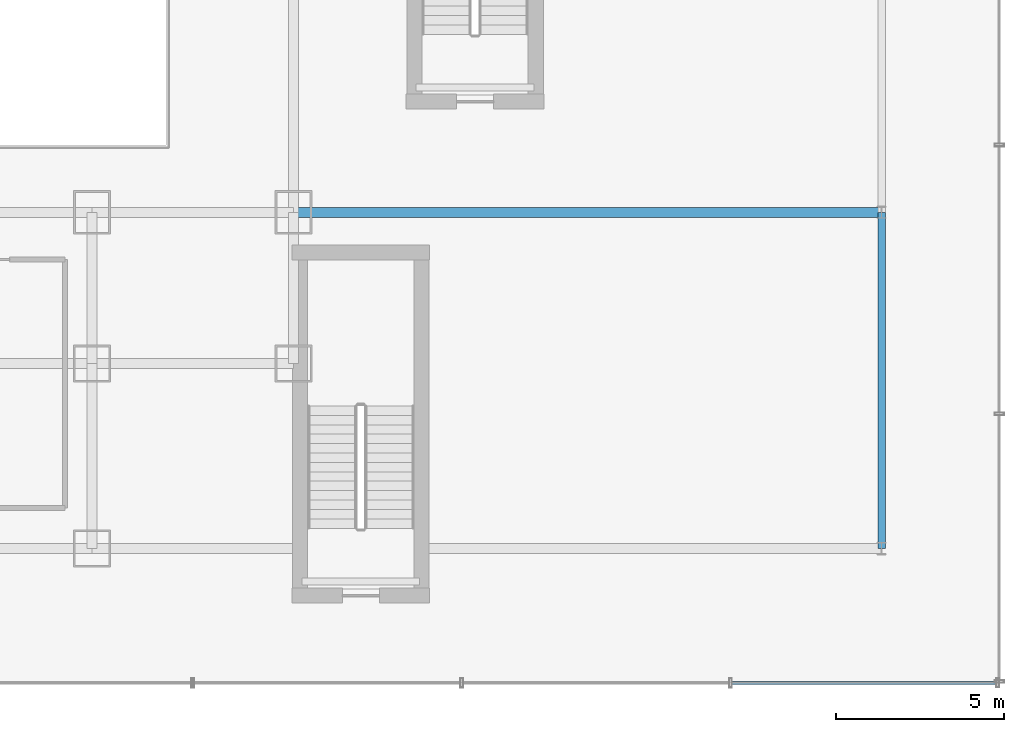
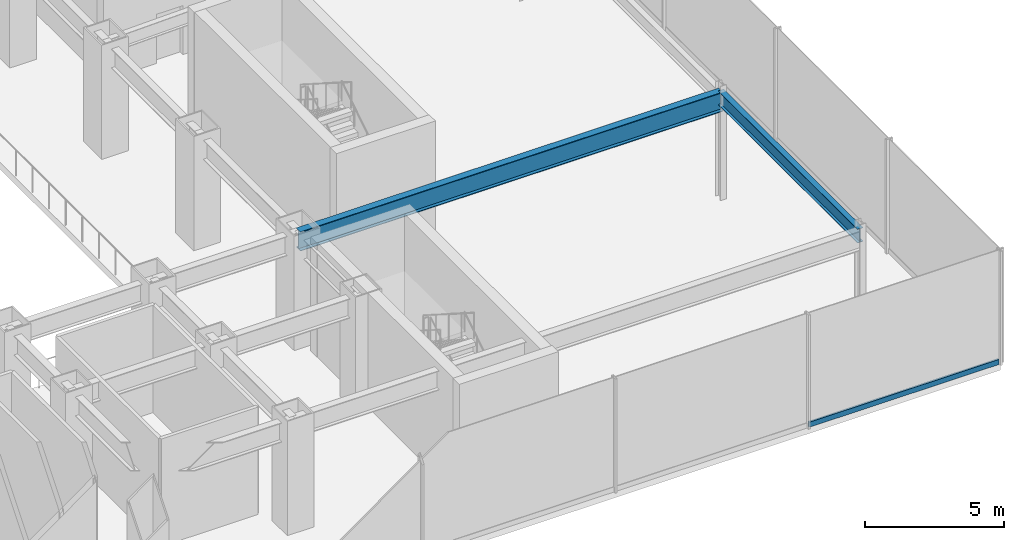
# One storey, part 20 of 39: 2 beams, 1 member, 1 element without a shape of its own.
"""IFC4 building model written with IfcOpenShell, lengths in metres."""

from ifc_helpers import new_model, si_unit, derived_unit, direction, frame, origin, origin_2d, place, context, subcontext, project, spatial, hollow_rectangle, i_section, extrude, source, transform, mapped, material, material_profile, profile_set, type_object, element, aggregate, save


model = new_model("IFC4")

# Units and contexts
model_context = context("Model", 3, precision=1e-05, world=origin(), true_north=direction((0.0, 1.0)))
body_context = subcontext(model_context, "Body", "Model", "MODEL_VIEW")
ifc_project = project(units=[si_unit("LENGTHUNIT", "METRE"), si_unit("AREAUNIT", "SQUARE_METRE"), si_unit("VOLUMEUNIT", "CUBIC_METRE"), si_unit("PLANEANGLEUNIT", "RADIAN"), si_unit("MASSUNIT", "GRAM", prefix="KILO"), derived_unit("THERMALTRANSMITTANCEUNIT", [(si_unit("POWERUNIT", "WATT"), 1), (si_unit("LENGTHUNIT", "METRE"), -2), (si_unit("THERMODYNAMICTEMPERATUREUNIT", "KELVIN"), -1)])], contexts=[model_context])

# Site, building, storey
site_placement = place(None, origin())
site = spatial("IfcSite", under=ifc_project, at=site_placement, CompositionType="ELEMENT")
building_placement = place(site_placement, origin())
building = spatial("IfcBuilding", under=site, at=building_placement, Name="Skarnbrae Concourse Arena and Tower", CompositionType="ELEMENT")
storey_placement = place(building_placement, frame((0.0, 0.0, 16.0)))
storey = spatial("IfcBuildingStorey", under=building, at=storey_placement, Name="L03", CompositionType="ELEMENT", Elevation=16.0)

# Beams
ifc_material_1 = material(Name="Steel CSA G40.21 350W", Category="steel")
ifc_material_profile_1 = material_profile(ifc_material_1, i_section(OverallWidth=0.2939453125, OverallDepth=0.85107421875, WebThickness=0.01611328125, FlangeThickness=0.02685546875, at=origin_2d()), Name="W840X226")
ifc_profile_set_1 = profile_set([ifc_material_profile_1], Name="Steel CSA G40.21 350W")
beam_type_1 = type_object("IfcBeamType", Name="BM-GIRD-W840X226", PredefinedType="BEAM", material=ifc_profile_set_1)
shared_shape_1 = source(origin(), body_context, "Body", "SweptSolid", [
    extrude(i_section(OverallWidth=0.2939453125, OverallDepth=0.85107421875, WebThickness=0.01611328125, FlangeThickness=0.02685546875, at=origin_2d()), origin(), (0.0, 0.0, 1.0), 17.5),
])
beam_1_placement = place(storey_placement, frame((61.0, 14.0, 4.2744140625), z_axis=(1.0, 0.0, 0.0), x_axis=(0.0, 1.0, 0.0)))
element("IfcBeam", 1, at=beam_1_placement, inside=storey, type_object=beam_type_1, Name="L03 Podium south spine girder 10", PredefinedType="BEAM", context=body_context, shape_type="MappedRepresentation", body=[
    mapped(shared_shape_1, transform((0.0, 0.0, 0.0))),
])
ifc_material_profile_2 = material_profile(ifc_material_1, i_section(OverallWidth=0.22802734375, OverallDepth=0.60791015625, WebThickness=0.01123046875, FlangeThickness=0.017333984375, at=origin_2d()), Name="W610X113")
ifc_profile_set_2 = profile_set([ifc_material_profile_2], Name="Steel CSA G40.21 350W")
beam_type_2 = type_object("IfcBeamType", Name="BM-GIRD-W610X113", PredefinedType="BEAM", material=ifc_profile_set_2)
shared_shape_2 = source(origin(), body_context, "Body", "SweptSolid", [
    extrude(i_section(OverallWidth=0.22802734375, OverallDepth=0.60791015625, WebThickness=0.01123046875, FlangeThickness=0.017333984375, at=origin_2d()), origin(), (0.0, 0.0, 1.0), 10.0),
])
beam_2_placement = place(storey_placement, frame((78.5, 4.0, 4.39599609375), z_axis=(0.0, 1.0, 0.0), x_axis=(-1.0, 0.0, 0.0)))
element("IfcBeam", 2, at=beam_2_placement, inside=storey, type_object=beam_type_2, Name="L03 Podium outer east girder 1", PredefinedType="BEAM", context=body_context, shape_type="MappedRepresentation", body=[
    mapped(shared_shape_2, transform((0.0, 0.0, 0.0))),
])

# Curtain wall, member
ifc_material_2 = material(Name="Bronze anodised aluminium 6063-T6", Category="aluminium")
curtain_wall_type = type_object("IfcCurtainWallType", Name="CW-SYS-01-PODIUM", PredefinedType="USERDEFINED", material=ifc_material_2)
curtain_wall_placement = place(storey_placement, origin())
curtain_wall = element("IfcCurtainWall", 3, at=curtain_wall_placement, inside=storey, type_object=curtain_wall_type, Name="L03 Unitised curtain wall CW-L03-SE", ObjectType="UNITISED CURTAIN WALL", PredefinedType="USERDEFINED")
ifc_material_profile_3 = material_profile(ifc_material_2, hollow_rectangle(XDim=0.0849609375, YDim=0.219970703125, WallThickness=0.006103515625, at=origin_2d()), Name="ALU-TRAN-85X220")
ifc_profile_set_3 = profile_set([ifc_material_profile_3], Name="Bronze anodised aluminium 6063-T6")
member_type = type_object("IfcMemberType", Name="CWT-CW-01", PredefinedType="USERDEFINED", material=ifc_profile_set_3)
shared_shape_3 = source(origin(), body_context, "Body", "SweptSolid", [
    extrude(hollow_rectangle(XDim=0.0849609375, YDim=0.219970703125, WallThickness=0.006103515625, at=origin_2d()), origin(), (0.0, 0.0, 1.0), 7.87255859375),
])
member_placement = place(storey_placement, frame((74.04248046875, 0.0, 0.110107421875), z_axis=(1.0, 0.0, 0.0), x_axis=(0.0, 1.0, 0.0)))
member = element("IfcMember", 4, at=member_placement, type_object=member_type, Name="CW-L03-SE Transom 6", ObjectType="TRANSOM", PredefinedType="USERDEFINED", context=body_context, shape_type="MappedRepresentation", body=[
    mapped(shared_shape_3, transform((0.0, 0.0, 0.0))),
])
aggregate(curtain_wall, [member])

save(model, "model.ifc")
